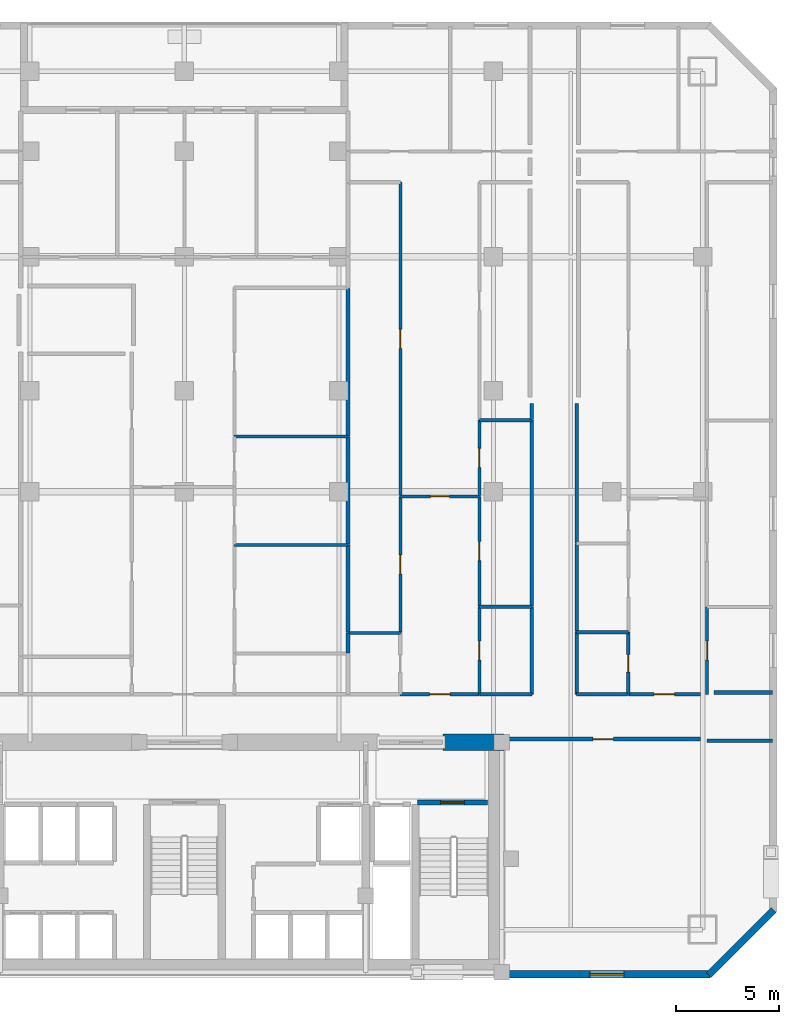
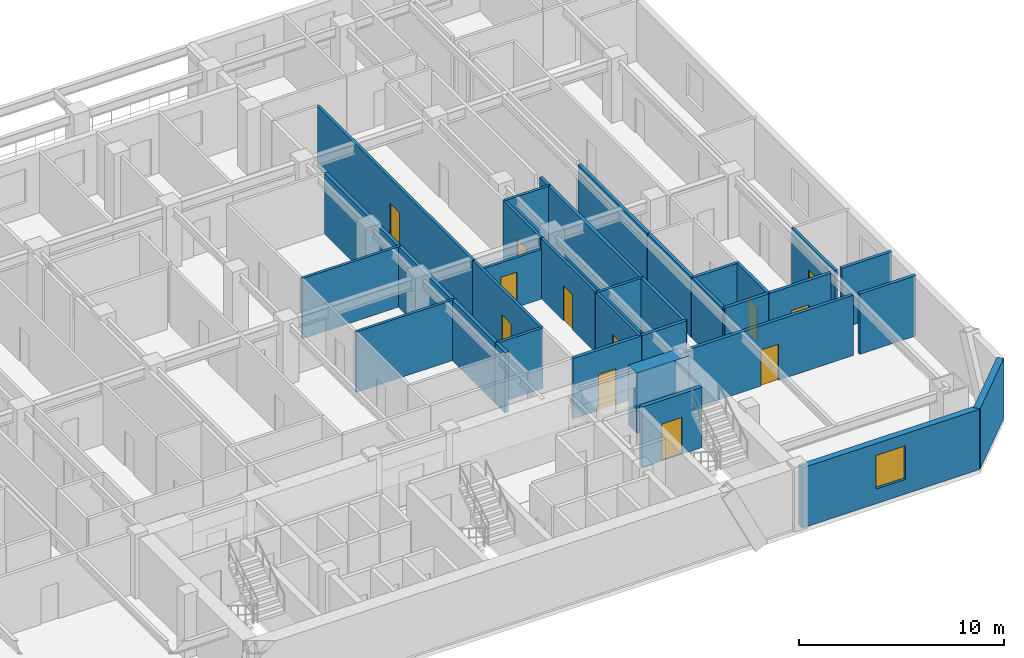
# One storey, part 6 of 10: 35 walls, 12 doors, 1 window, 13 openings.
"""IFC4 building model written with IfcOpenShell, lengths in metres."""

from ifc_helpers import new_model, si_unit, direction, frame, frame_2d, origin, place, context, subcontext, project, spatial, rectangle, extrude, material, layer, layer_set, type_object, element, fill, save


model = new_model("IFC4")

# Units and contexts
model_context = context("Model", 3, precision=1e-05, world=origin(), true_north=direction((0.0, 1.0)))
body_context = subcontext(model_context, "Body", "Model", "MODEL_VIEW")
ifc_project = project(units=[si_unit("LENGTHUNIT", "METRE"), si_unit("AREAUNIT", "SQUARE_METRE"), si_unit("VOLUMEUNIT", "CUBIC_METRE"), si_unit("PLANEANGLEUNIT", "RADIAN"), si_unit("MASSUNIT", "GRAM", prefix="KILO")], contexts=[model_context])

# Site, building, storey
site_placement = place(None, origin())
site = spatial("IfcSite", under=ifc_project, at=site_placement, CompositionType="ELEMENT")
building_placement = place(site_placement, origin())
building = spatial("IfcBuilding", under=site, at=building_placement, Name="Ventersveld Concourse Tower", CompositionType="ELEMENT")
storey_placement = place(building_placement, frame((0.0, 0.0, 64.449951171875)))
storey = spatial("IfcBuildingStorey", under=building, at=storey_placement, Name="L15", CompositionType="ELEMENT", Elevation=64.449951171875)

# Wall
ifc_material_1 = material(Name="Concrete C60/75", Category="concrete")
ifc_layer_1 = layer(ifc_material_1, 0.800048828125)
ifc_layer_set_1 = layer_set([ifc_layer_1], Name="Concrete C60/75")
wall_type_1 = type_object("IfcWallType", Name="WL-CORE-800", PredefinedType="SHEAR", material=ifc_layer_set_1)
wall_1_placement = place(storey_placement, frame((41.300048828125, 11.449951171875, 0.0), z_axis=(0.0, 0.0, 1.0), x_axis=(1.0, 0.0, 0.0)))
element("IfcWall", 1, at=wall_1_placement, inside=storey, type_object=wall_type_1, Name="L15 Rear Core North Shear Wall NE", PredefinedType="SHEAR", context=body_context, shape_type="SweptSolid", body=[
    extrude(rectangle(XDim=2.949951171875, YDim=0.800048828125, at=frame_2d((1.47509765625, 0.0))), origin(), (0.0, 0.0, 1.0), 3.60009765625),
])

# Wall, opening, door
ifc_material_2 = material(Name="Fire-rated autoclaved aerated masonry blockwork", Category="masonry")
ifc_layer_2 = layer(ifc_material_2, 0.179931640625)
ifc_layer_set_2 = layer_set([ifc_layer_2], Name="Fire-rated autoclaved aerated masonry blockwork")
wall_type_2 = type_object("IfcWallType", Name="WL-CORR-180", PredefinedType="PARTITIONING", material=ifc_layer_set_2)
wall_2_placement = place(storey_placement, frame((44.35498046875, 11.60009765625, 0.0), z_axis=(0.0, 0.0, 1.0), x_axis=(1.0, 0.0, 0.0)))
wall_2 = element("IfcWall", 2, at=wall_2_placement, inside=storey, type_object=wall_type_2, Name="L15 Interior Partition SP-L15-SE-OFF-SP-L15-COR", PredefinedType="PARTITIONING", context=body_context, shape_type="SweptSolid", body=[
    extrude(rectangle(XDim=9.43994140625, YDim=0.179931640625, at=frame_2d((4.719970703125, 0.0))), origin(), (0.0, 0.0, 1.0), 3.60009765625),
])
opening_1_placement = place(wall_2_placement, frame((4.219970703125, 0.0, 0.0)))
opening_1 = element("IfcOpeningElement", 3, at=opening_1_placement, cuts=wall_2, Name="Opening FD3", PredefinedType="OPENING", context=body_context, shape_type="SweptSolid", body=[
    extrude(rectangle(XDim=1.0, YDim=2.14990234375, at=frame_2d((0.5, 1.074951171875))), frame((0.0, 0.10009765625, 0.0), z_axis=(0.0, -1.0, 0.0), x_axis=(1.0, 0.0, 0.0)), (0.0, 0.0, 1.0), 0.199951171875),
])
ifc_material_3 = material(Name="Solid-core hardwood veneer timber", Category="wood")
door_type_1 = type_object("IfcDoorType", Name="DR-FLAT-100", OperationType="NOTDEFINED", PredefinedType="DOOR", material=ifc_material_3)
door_1_placement = place(opening_1_placement, origin())
door_1 = element("IfcDoor", 4, at=door_1_placement, inside=storey, type_object=door_type_1, Name="L15 Interior Door SP-L15-SE-OFF to SP-L15-COR (D-L15-0656)", OperationType="SINGLE_SWING_RIGHT", OverallHeight=2.14990234375, OverallWidth=1.0, PredefinedType="DOOR", context=body_context, shape_type="SweptSolid", body=[
    extrude(rectangle(XDim=1.0, YDim=2.14990234375, at=frame_2d((0.5, 1.074951171875))), frame((0.0, 0.02490234375, 0.0), z_axis=(0.0, -1.0, 0.0), x_axis=(1.0, 0.0, 0.0)), (0.0, 0.0, 1.0), 0.050048828125),
])
fill(opening_1, door_1)

wall_3_placement = place(storey_placement, frame((50.2958984375, 13.77001953125, 0.0), z_axis=(0.0, 0.0, 1.0), x_axis=(1.0, 0.0, 0.0)))
wall_3 = element("IfcWall", 5, at=wall_3_placement, inside=storey, type_object=wall_type_2, Name="L15 Interior Partition SP-L15-COR-SP-L15-15NE-FOY", PredefinedType="PARTITIONING", context=body_context, shape_type="SweptSolid", body=[
    extrude(rectangle(XDim=3.4990234375, YDim=0.179931640625, at=frame_2d((1.74951171875, 0.0))), origin(), (0.0, 0.0, 1.0), 3.60009765625),
])
opening_2_placement = place(wall_3_placement, frame((1.24951171875, 0.0, 0.0)))
opening_2 = element("IfcOpeningElement", 6, at=opening_2_placement, cuts=wall_3, Name="Opening FD3", PredefinedType="OPENING", context=body_context, shape_type="SweptSolid", body=[
    extrude(rectangle(XDim=1.0, YDim=2.14990234375, at=frame_2d((0.5, 1.074951171875))), frame((0.0, 0.10009765625, 0.0), z_axis=(0.0, -1.0, 0.0), x_axis=(1.0, 0.0, 0.0)), (0.0, 0.0, 1.0), 0.199951171875),
])
door_2_placement = place(opening_2_placement, origin())
door_2 = element("IfcDoor", 7, at=door_2_placement, inside=storey, type_object=door_type_1, Name="L15 Interior Door SP-L15-COR to SP-L15-15NE-FOY (FD-L15-0658)", OperationType="SINGLE_SWING_RIGHT", OverallHeight=2.14990234375, OverallWidth=1.0, PredefinedType="DOOR", context=body_context, shape_type="SweptSolid", body=[
    extrude(rectangle(XDim=1.0, YDim=2.14990234375, at=frame_2d((0.5, 1.074951171875))), frame((0.0, 0.02490234375, 0.0), z_axis=(0.0, -1.0, 0.0), x_axis=(1.0, 0.0, 0.0)), (0.0, 0.0, 1.0), 0.050048828125),
])
fill(opening_2, door_2)

# Walls
wall_4_placement = place(storey_placement, frame((47.7900390625, 13.764892578125, 0.0), z_axis=(0.0, 0.0, 1.0), x_axis=(0.0, 1.0, 0.0)))
element("IfcWall", 8, at=wall_4_placement, inside=storey, type_object=wall_type_2, Name="L15 Interior Partition SP-L15-COR-SP-L15-15NE-BATH", PredefinedType="PARTITIONING", context=body_context, shape_type="SweptSolid", body=[
    extrude(rectangle(XDim=3.021728515625, YDim=0.179931640625, at=frame_2d((1.5107421875, 0.0))), origin(), (0.0, 0.0, 1.0), 3.60009765625),
])
wall_5_placement = place(storey_placement, frame((47.784912109375, 13.77001953125, 0.0), z_axis=(0.0, 0.0, 1.0), x_axis=(1.0, 0.0, 0.0)))
element("IfcWall", 9, at=wall_5_placement, inside=storey, type_object=wall_type_2, Name="L15 Interior Partition SP-L15-COR-SP-L15-15NE-BATH", PredefinedType="PARTITIONING", context=body_context, shape_type="SweptSolid", body=[
    extrude(rectangle(XDim=2.48095703125, YDim=0.179931640625, at=frame_2d((1.240478515625, 0.0))), origin(), (0.0, 0.0, 1.0), 3.60009765625),
])
wall_6_placement = place(storey_placement, frame((47.7900390625, 16.81640625, 0.0), z_axis=(0.0, 0.0, 1.0), x_axis=(0.0, 1.0, 0.0)))
element("IfcWall", 10, at=wall_6_placement, inside=storey, type_object=wall_type_2, Name="L15 Interior Partition SP-L15-COR-SP-L15-15NE-PANL0", PredefinedType="PARTITIONING", context=body_context, shape_type="SweptSolid", body=[
    extrude(rectangle(XDim=4.268798828125, YDim=0.179931640625, at=frame_2d((2.13427734375, 0.0))), origin(), (0.0, 0.0, 1.0), 3.60009765625),
])
wall_7_placement = place(storey_placement, frame((47.7900390625, 21.114990234375, 0.0), z_axis=(0.0, 0.0, 1.0), x_axis=(0.0, 1.0, 0.0)))
element("IfcWall", 11, at=wall_7_placement, inside=storey, type_object=wall_type_2, Name="L15 Interior Partition SP-L15-COR-SP-L15-15NE-DENL", PredefinedType="PARTITIONING", context=body_context, shape_type="SweptSolid", body=[
    extrude(rectangle(XDim=6.780029296875, YDim=0.179931640625, at=frame_2d((3.39013671875, 0.0))), origin(), (0.0, 0.0, 1.0), 3.60009765625),
])

# Wall, opening, door
wall_8_placement = place(storey_placement, frame((39.224853515625, 13.77001953125, 0.0), z_axis=(0.0, 0.0, 1.0), x_axis=(1.0, 0.0, 0.0)))
wall_8 = element("IfcWall", 12, at=wall_8_placement, inside=storey, type_object=wall_type_2, Name="L15 Interior Partition SP-L15-COR-SP-L15-15CE-FOY", PredefinedType="PARTITIONING", context=body_context, shape_type="SweptSolid", body=[
    extrude(rectangle(XDim=3.850341796875, YDim=0.179931640625, at=frame_2d((1.92529296875, 0.0))), origin(), (0.0, 0.0, 1.0), 3.60009765625),
])
opening_3_placement = place(wall_8_placement, frame((1.42529296875, 0.0, 0.0)))
opening_3 = element("IfcOpeningElement", 13, at=opening_3_placement, cuts=wall_8, Name="Opening FD3", PredefinedType="OPENING", context=body_context, shape_type="SweptSolid", body=[
    extrude(rectangle(XDim=1.0, YDim=2.14990234375, at=frame_2d((0.5, 1.074951171875))), frame((0.0, 0.10009765625, 0.0), z_axis=(0.0, -1.0, 0.0), x_axis=(1.0, 0.0, 0.0)), (0.0, 0.0, 1.0), 0.199951171875),
])
door_3_placement = place(opening_3_placement, origin())
door_3 = element("IfcDoor", 14, at=door_3_placement, inside=storey, type_object=door_type_1, Name="L15 Interior Door SP-L15-COR to SP-L15-15CE-FOY (FD-L15-0660)", OperationType="SINGLE_SWING_RIGHT", OverallHeight=2.14990234375, OverallWidth=1.0, PredefinedType="DOOR", context=body_context, shape_type="SweptSolid", body=[
    extrude(rectangle(XDim=1.0, YDim=2.14990234375, at=frame_2d((0.5, 1.074951171875))), frame((0.0, 0.02490234375, 0.0), z_axis=(0.0, -1.0, 0.0), x_axis=(1.0, 0.0, 0.0)), (0.0, 0.0, 1.0), 0.050048828125),
])
fill(opening_3, door_3)

# Walls
wall_9_placement = place(storey_placement, frame((45.610107421875, 13.764892578125, 0.0), z_axis=(0.0, 0.0, 1.0), x_axis=(0.0, 1.0, 0.0)))
element("IfcWall", 15, at=wall_9_placement, inside=storey, type_object=wall_type_2, Name="L15 Interior Partition SP-L15-COR-SP-L15-15CE-KIT", PredefinedType="PARTITIONING", context=body_context, shape_type="SweptSolid", body=[
    extrude(rectangle(XDim=4.25830078125, YDim=0.179931640625, at=frame_2d((2.129150390625, 0.0))), origin(), (0.0, 0.0, 1.0), 3.60009765625),
])
wall_10_placement = place(storey_placement, frame((43.105224609375, 13.77001953125, 0.0), z_axis=(0.0, 0.0, 1.0), x_axis=(1.0, 0.0, 0.0)))
element("IfcWall", 16, at=wall_10_placement, inside=storey, type_object=wall_type_2, Name="L15 Interior Partition SP-L15-COR-SP-L15-15CE-KIT", PredefinedType="PARTITIONING", context=body_context, shape_type="SweptSolid", body=[
    extrude(rectangle(XDim=2.509765625, YDim=0.179931640625, at=frame_2d((1.2548828125, 0.0))), origin(), (0.0, 0.0, 1.0), 3.60009765625),
])
wall_11_placement = place(storey_placement, frame((45.610107421875, 18.052978515625, 0.0), z_axis=(0.0, 0.0, 1.0), x_axis=(0.0, 1.0, 0.0)))
element("IfcWall", 17, at=wall_11_placement, inside=storey, type_object=wall_type_2, Name="L15 Interior Partition SP-L15-COR-SP-L15-15CE-DENR", PredefinedType="PARTITIONING", context=body_context, shape_type="SweptSolid", body=[
    extrude(rectangle(XDim=9.0244140625, YDim=0.179931640625, at=frame_2d((4.51220703125, 0.0))), origin(), (0.0, 0.0, 1.0), 3.60009765625),
])
wall_12_placement = place(storey_placement, frame((45.610107421875, 27.107421875, 0.0), z_axis=(0.0, 0.0, 1.0), x_axis=(0.0, 1.0, 0.0)))
element("IfcWall", 18, at=wall_12_placement, inside=storey, type_object=wall_type_2, Name="L15 Interior Partition SP-L15-COR-SP-L15-15CE-DENS", PredefinedType="PARTITIONING", context=body_context, shape_type="SweptSolid", body=[
    extrude(rectangle(XDim=0.78759765625, YDim=0.179931640625, at=frame_2d((0.393798828125, 0.0))), origin(), (0.0, 0.0, 1.0), 3.60009765625),
])
wall_13_placement = place(storey_placement, frame((54.1123046875, 11.52001953125, 0.0), z_axis=(0.0, 0.0, 1.0), x_axis=(1.0, 0.0, 0.0)))
element("IfcWall", 19, at=wall_13_placement, inside=storey, type_object=wall_type_2, Name="L15 Room Enclosure Wall SP-L15-SE-OFF", PredefinedType="PARTITIONING", context=body_context, shape_type="SweptSolid", body=[
    extrude(rectangle(XDim=3.177734375, YDim=0.179931640625, at=frame_2d((1.5888671875, 0.0))), origin(), (0.0, 0.0, 1.0), 3.60009765625),
])
wall_14_placement = place(storey_placement, frame((57.2900390625, 13.860107421875, 0.0), z_axis=(0.0, 0.0, 1.0), x_axis=(-1.0, 0.0, 0.0)))
element("IfcWall", 20, at=wall_14_placement, inside=storey, type_object=wall_type_2, Name="L15 Room Enclosure Wall SP-L15-15NE-KIT", PredefinedType="PARTITIONING", context=body_context, shape_type="SweptSolid", body=[
    extrude(rectangle(XDim=2.842041015625, YDim=0.179931640625, at=frame_2d((1.4208984375, 0.0))), origin(), (0.0, 0.0, 1.0), 3.60009765625),
])
ifc_layer_3 = layer(ifc_material_2, 0.199951171875)
ifc_layer_set_3 = layer_set([ifc_layer_3], Name="Fire-rated autoclaved aerated masonry blockwork")
wall_type_3 = type_object("IfcWallType", Name="WL-DEMISE-200", PredefinedType="PARTITIONING", material=ifc_layer_set_3)
wall_15_placement = place(storey_placement, frame((36.68994140625, 15.7841796875, 0.0), z_axis=(0.0, 0.0, 1.0), x_axis=(0.0, 1.0, 0.0)))
element("IfcWall", 21, at=wall_15_placement, inside=storey, type_object=wall_type_3, Name="L15 Interior Partition SP-L15-15CE-BATH-SP-L15-15CM-DENR", PredefinedType="PARTITIONING", context=body_context, shape_type="SweptSolid", body=[
    extrude(rectangle(XDim=0.967529296875, YDim=0.199951171875, at=frame_2d((0.48388671875, 0.0))), origin(), (0.0, 0.0, 1.0), 3.60009765625),
])
wall_16_placement = place(storey_placement, frame((36.68994140625, 16.78173828125, 0.0), z_axis=(0.0, 0.0, 1.0), x_axis=(0.0, 1.0, 0.0)))
element("IfcWall", 22, at=wall_16_placement, inside=storey, type_object=wall_type_3, Name="L15 Interior Partition SP-L15-15CE-SEML0-SP-L15-15CM-DENR", PredefinedType="PARTITIONING", context=body_context, shape_type="SweptSolid", body=[
    extrude(rectangle(XDim=4.236328125, YDim=0.199951171875, at=frame_2d((2.1181640625, 0.0))), origin(), (0.0, 0.0, 1.0), 3.60009765625),
])
wall_17_placement = place(storey_placement, frame((36.68994140625, 21.048095703125, 0.0), z_axis=(0.0, 0.0, 1.0), x_axis=(0.0, 1.0, 0.0)))
element("IfcWall", 23, at=wall_17_placement, inside=storey, type_object=wall_type_3, Name="L15 Interior Partition SP-L15-15CE-SEML0-SP-L15-15CM-DENS", PredefinedType="PARTITIONING", context=body_context, shape_type="SweptSolid", body=[
    extrude(rectangle(XDim=5.233642578125, YDim=0.199951171875, at=frame_2d((2.61669921875, 0.0))), origin(), (0.0, 0.0, 1.0), 3.60009765625),
])
wall_18_placement = place(storey_placement, frame((36.68994140625, 26.311767578125, 0.0), z_axis=(0.0, 0.0, 1.0), x_axis=(0.0, 1.0, 0.0)))
element("IfcWall", 24, at=wall_18_placement, inside=storey, type_object=wall_type_3, Name="L15 Interior Partition SP-L15-15CE-SEML0-SP-L15-15CM-DENS2", PredefinedType="PARTITIONING", context=body_context, shape_type="SweptSolid", body=[
    extrude(rectangle(XDim=7.1533203125, YDim=0.199951171875, at=frame_2d((3.57666015625, 0.0))), origin(), (0.0, 0.0, 1.0), 3.60009765625),
])

# Wall, opening, door
ifc_layer_4 = layer(ifc_material_2, 0.219970703125)
ifc_layer_set_4 = layer_set([ifc_layer_4], Name="Fire-rated autoclaved aerated masonry blockwork")
wall_type_4 = type_object("IfcWallType", Name="WL-HOIST-220", PredefinedType="SOLIDWALL", material=ifc_layer_set_4)
wall_19_placement = place(storey_placement, frame((40.06005859375, 8.52001953125, 0.0), z_axis=(0.0, 0.0, 1.0), x_axis=(1.0, 0.0, 0.0)))
wall_19 = element("IfcWall", 25, at=wall_19_placement, inside=storey, type_object=wall_type_4, Name="L15 Escape Stair ST02 Fire Wall", PredefinedType="SOLIDWALL", context=body_context, shape_type="SweptSolid", body=[
    extrude(rectangle(XDim=3.39990234375, YDim=0.219970703125, at=frame_2d((1.699951171875, 0.0))), origin(), (0.0, 0.0, 1.0), 3.60009765625),
])
opening_4_placement = place(wall_19_placement, frame((1.125, 0.0, 0.0)))
opening_4 = element("IfcOpeningElement", 26, at=opening_4_placement, cuts=wall_19, Name="Opening FD1", PredefinedType="OPENING", context=body_context, shape_type="SweptSolid", body=[
    extrude(rectangle(XDim=1.14990234375, YDim=2.199951171875, at=frame_2d((0.574951171875, 1.10009765625))), frame((0.0, 0.1201171875, 0.0), z_axis=(0.0, -1.0, 0.0), x_axis=(1.0, 0.0, 0.0)), (0.0, 0.0, 1.0), 0.239990234375),
])
ifc_material_4 = material(Name="Galvanised painted steel", Category="steel")
door_type_2 = type_object("IfcDoorType", Name="DR-STAIR-115", OperationType="NOTDEFINED", PredefinedType="DOOR", material=ifc_material_4)
door_4_placement = place(opening_4_placement, origin())
door_4 = element("IfcDoor", 27, at=door_4_placement, inside=storey, type_object=door_type_2, Name="L15 Escape Stair Door ST02 (SD-L15-0647)", OperationType="SINGLE_SWING_RIGHT", OverallHeight=2.199951171875, OverallWidth=1.14990234375, PredefinedType="DOOR", context=body_context, shape_type="SweptSolid", body=[
    extrude(rectangle(XDim=1.14990234375, YDim=2.199951171875, at=frame_2d((0.574951171875, 1.10009765625))), frame((0.0, 0.02490234375, 0.0), z_axis=(0.0, -1.0, 0.0), x_axis=(1.0, 0.0, 0.0)), (0.0, 0.0, 1.0), 0.050048828125),
])
fill(opening_4, door_4)

ifc_material_5 = material(Name="Autoclaved aerated masonry blockwork", Category="masonry")
ifc_layer_5 = layer(ifc_material_5, 0.14990234375)
ifc_layer_set_5 = layer_set([ifc_layer_5], Name="Autoclaved aerated masonry blockwork")
wall_type_5 = type_object("IfcWallType", Name="WL-INT-150", PredefinedType="PARTITIONING", material=ifc_layer_set_5)
wall_20_placement = place(storey_placement, frame((54.122802734375, 13.764892578125, 0.0), z_axis=(0.0, 0.0, 1.0), x_axis=(0.0, 1.0, 0.0)))
wall_20 = element("IfcWall", 28, at=wall_20_placement, inside=storey, type_object=wall_type_5, Name="L15 Interior Partition SP-L15-15NE-FOY-SP-L15-15NE-KIT", PredefinedType="PARTITIONING", context=body_context, shape_type="SweptSolid", body=[
    extrude(rectangle(XDim=4.24560546875, YDim=0.14990234375, at=frame_2d((2.122802734375, 0.0))), origin(), (0.0, 0.0, 1.0), 3.60009765625),
])
opening_5_placement = place(wall_20_placement, frame((1.662841796875, 0.0, 0.0)))
opening_5 = element("IfcOpeningElement", 29, at=opening_5_placement, cuts=wall_20, Name="Opening ID1", PredefinedType="OPENING", context=body_context, shape_type="SweptSolid", body=[
    extrude(rectangle(XDim=0.919921875, YDim=2.10009765625, at=frame_2d((0.4599609375, 1.050048828125))), frame((0.0, 0.0849609375, 0.0), z_axis=(0.0, -1.0, 0.0), x_axis=(1.0, 0.0, 0.0)), (0.0, 0.0, 1.0), 0.169921875),
])
door_type_3 = type_object("IfcDoorType", Name="DR-ROOM-092", OperationType="NOTDEFINED", PredefinedType="DOOR", material=ifc_material_3)
door_5_placement = place(opening_5_placement, origin())
door_5 = element("IfcDoor", 30, at=door_5_placement, inside=storey, type_object=door_type_3, Name="L15 Interior Door SP-L15-15NE-FOY to SP-L15-15NE-KIT (D-L15-0676)", OperationType="SINGLE_SWING_RIGHT", OverallHeight=2.10009765625, OverallWidth=0.919921875, PredefinedType="DOOR", context=body_context, shape_type="SweptSolid", body=[
    extrude(rectangle(XDim=0.919921875, YDim=2.10009765625, at=frame_2d((0.4599609375, 1.050048828125))), frame((0.0, 0.02490234375, 0.0), z_axis=(0.0, -1.0, 0.0), x_axis=(1.0, 0.0, 0.0)), (0.0, 0.0, 1.0), 0.050048828125),
])
fill(opening_5, door_5)

wall_21_placement = place(storey_placement, frame((39.224853515625, 23.37451171875, 0.0), z_axis=(0.0, 0.0, 1.0), x_axis=(1.0, 0.0, 0.0)))
wall_21 = element("IfcWall", 31, at=wall_21_placement, inside=storey, type_object=wall_type_5, Name="L15 Interior Partition SP-L15-15CE-FOY-SP-L15-15CE-LIV", PredefinedType="PARTITIONING", context=body_context, shape_type="SweptSolid", body=[
    extrude(rectangle(XDim=3.850341796875, YDim=0.14990234375, at=frame_2d((1.92529296875, 0.0))), origin(), (0.0, 0.0, 1.0), 2.96435546875),
])
opening_6_placement = place(wall_21_placement, frame((1.465087890625, 0.0, 0.0)))
opening_6 = element("IfcOpeningElement", 32, at=opening_6_placement, cuts=wall_21, Name="Opening ID1", PredefinedType="OPENING", context=body_context, shape_type="SweptSolid", body=[
    extrude(rectangle(XDim=0.919921875, YDim=2.10009765625, at=frame_2d((0.4599609375, 1.050048828125))), frame((0.0, 0.0849609375, 0.0), z_axis=(0.0, -1.0, 0.0), x_axis=(1.0, 0.0, 0.0)), (0.0, 0.0, 1.0), 0.169921875),
])
door_6_placement = place(opening_6_placement, origin())
door_6 = element("IfcDoor", 33, at=door_6_placement, inside=storey, type_object=door_type_3, Name="L15 Interior Door SP-L15-15CE-FOY to SP-L15-15CE-LIV (D-L15-0692)", OperationType="SINGLE_SWING_RIGHT", OverallHeight=2.10009765625, OverallWidth=0.919921875, PredefinedType="DOOR", context=body_context, shape_type="SweptSolid", body=[
    extrude(rectangle(XDim=0.919921875, YDim=2.10009765625, at=frame_2d((0.4599609375, 1.050048828125))), frame((0.0, 0.02490234375, 0.0), z_axis=(0.0, -1.0, 0.0), x_axis=(1.0, 0.0, 0.0)), (0.0, 0.0, 1.0), 0.050048828125),
])
fill(opening_6, door_6)

wall_22_placement = place(storey_placement, frame((39.229736328125, 16.78173828125, 0.0), z_axis=(0.0, 0.0, 1.0), x_axis=(0.0, 1.0, 0.0)))
wall_22 = element("IfcWall", 34, at=wall_22_placement, inside=storey, type_object=wall_type_5, Name="L15 Interior Partition SP-L15-15CE-FOY-SP-L15-15CE-SEML0", PredefinedType="PARTITIONING", context=body_context, shape_type="SweptSolid", body=[
    extrude(rectangle(XDim=6.597900390625, YDim=0.14990234375, at=frame_2d((3.298828125, 0.0))), origin(), (0.0, 0.0, 1.0), 3.60009765625),
])
opening_7_placement = place(wall_22_placement, frame((2.8388671875, 0.0, 0.0)))
opening_7 = element("IfcOpeningElement", 35, at=opening_7_placement, cuts=wall_22, Name="Opening ID1", PredefinedType="OPENING", context=body_context, shape_type="SweptSolid", body=[
    extrude(rectangle(XDim=0.919921875, YDim=2.10009765625, at=frame_2d((0.4599609375, 1.050048828125))), frame((0.0, 0.0849609375, 0.0), z_axis=(0.0, -1.0, 0.0), x_axis=(1.0, 0.0, 0.0)), (0.0, 0.0, 1.0), 0.169921875),
])
door_7_placement = place(opening_7_placement, origin())
door_7 = element("IfcDoor", 36, at=door_7_placement, inside=storey, type_object=door_type_3, Name="L15 Interior Door SP-L15-15CE-FOY to SP-L15-15CE-SEML0 (D-L15-0694)", OperationType="SINGLE_SWING_RIGHT", OverallHeight=2.10009765625, OverallWidth=0.919921875, PredefinedType="DOOR", context=body_context, shape_type="SweptSolid", body=[
    extrude(rectangle(XDim=0.919921875, YDim=2.10009765625, at=frame_2d((0.4599609375, 1.050048828125))), frame((0.0, 0.02490234375, 0.0), z_axis=(0.0, -1.0, 0.0), x_axis=(1.0, 0.0, 0.0)), (0.0, 0.0, 1.0), 0.050048828125),
])
fill(opening_7, door_7)

wall_23_placement = place(storey_placement, frame((43.0703125, 13.764892578125, 0.0), z_axis=(0.0, 0.0, 1.0), x_axis=(0.0, 1.0, 0.0)))
wall_23 = element("IfcWall", 37, at=wall_23_placement, inside=storey, type_object=wall_type_5, Name="L15 Interior Partition SP-L15-15CE-FOY-SP-L15-15CE-KIT", PredefinedType="PARTITIONING", context=body_context, shape_type="SweptSolid", body=[
    extrude(rectangle(XDim=4.25830078125, YDim=0.14990234375, at=frame_2d((2.129150390625, 0.0))), origin(), (0.0, 0.0, 1.0), 3.60009765625),
])
opening_8_placement = place(wall_23_placement, frame((1.6689453125, 0.0, 0.0)))
opening_8 = element("IfcOpeningElement", 38, at=opening_8_placement, cuts=wall_23, Name="Opening ID1", PredefinedType="OPENING", context=body_context, shape_type="SweptSolid", body=[
    extrude(rectangle(XDim=0.919921875, YDim=2.10009765625, at=frame_2d((0.4599609375, 1.050048828125))), frame((0.0, 0.0849609375, 0.0), z_axis=(0.0, -1.0, 0.0), x_axis=(1.0, 0.0, 0.0)), (0.0, 0.0, 1.0), 0.169921875),
])
door_8_placement = place(opening_8_placement, origin())
door_8 = element("IfcDoor", 39, at=door_8_placement, inside=storey, type_object=door_type_3, Name="L15 Interior Door SP-L15-15CE-FOY to SP-L15-15CE-KIT (D-L15-0695)", OperationType="SINGLE_SWING_LEFT", OverallHeight=2.10009765625, OverallWidth=0.919921875, PredefinedType="DOOR", context=body_context, shape_type="SweptSolid", body=[
    extrude(rectangle(XDim=0.919921875, YDim=2.10009765625, at=frame_2d((0.4599609375, 1.050048828125))), frame((0.0, 0.02490234375, 0.0), z_axis=(0.0, -1.0, 0.0), x_axis=(1.0, 0.0, 0.0)), (0.0, 0.0, 1.0), 0.050048828125),
])
fill(opening_8, door_8)

wall_24_placement = place(storey_placement, frame((43.0703125, 18.052978515625, 0.0), z_axis=(0.0, 0.0, 1.0), x_axis=(0.0, 1.0, 0.0)))
wall_24 = element("IfcWall", 40, at=wall_24_placement, inside=storey, type_object=wall_type_5, Name="L15 Interior Partition SP-L15-15CE-FOY-SP-L15-15CE-DENR", PredefinedType="PARTITIONING", context=body_context, shape_type="SweptSolid", body=[
    extrude(rectangle(XDim=5.32666015625, YDim=0.14990234375, at=frame_2d((2.663330078125, 0.0))), origin(), (0.0, 0.0, 1.0), 3.60009765625),
])
opening_9_placement = place(wall_24_placement, frame((2.203125, 0.0, 0.0)))
opening_9 = element("IfcOpeningElement", 41, at=opening_9_placement, cuts=wall_24, Name="Opening ID1", PredefinedType="OPENING", context=body_context, shape_type="SweptSolid", body=[
    extrude(rectangle(XDim=0.919921875, YDim=2.10009765625, at=frame_2d((0.4599609375, 1.050048828125))), frame((0.0, 0.0849609375, 0.0), z_axis=(0.0, -1.0, 0.0), x_axis=(1.0, 0.0, 0.0)), (0.0, 0.0, 1.0), 0.169921875),
])
door_9_placement = place(opening_9_placement, origin())
door_9 = element("IfcDoor", 42, at=door_9_placement, inside=storey, type_object=door_type_3, Name="L15 Interior Door SP-L15-15CE-FOY to SP-L15-15CE-DENR (D-L15-0696)", OperationType="SINGLE_SWING_RIGHT", OverallHeight=2.10009765625, OverallWidth=0.919921875, PredefinedType="DOOR", context=body_context, shape_type="SweptSolid", body=[
    extrude(rectangle(XDim=0.919921875, YDim=2.10009765625, at=frame_2d((0.4599609375, 1.050048828125))), frame((0.0, 0.02490234375, 0.0), z_axis=(0.0, -1.0, 0.0), x_axis=(1.0, 0.0, 0.0)), (0.0, 0.0, 1.0), 0.050048828125),
])
fill(opening_9, door_9)

wall_25_placement = place(storey_placement, frame((39.229736328125, 23.40966796875, 0.0), z_axis=(0.0, 0.0, 1.0), x_axis=(0.0, 1.0, 0.0)))
wall_25 = element("IfcWall", 43, at=wall_25_placement, inside=storey, type_object=wall_type_5, Name="L15 Interior Partition SP-L15-15CE-LIV-SP-L15-15CE-SEML0", PredefinedType="PARTITIONING", context=body_context, shape_type="SweptSolid", body=[
    extrude(rectangle(XDim=15.21533203125, YDim=0.14990234375, at=frame_2d((7.607666015625, 0.0))), origin(), (0.0, 0.0, 1.0), 3.60009765625),
])
opening_10_placement = place(wall_25_placement, frame((7.147705078125, 0.0, 0.0)))
opening_10 = element("IfcOpeningElement", 44, at=opening_10_placement, cuts=wall_25, Name="Opening ID1", PredefinedType="OPENING", context=body_context, shape_type="SweptSolid", body=[
    extrude(rectangle(XDim=0.919921875, YDim=2.10009765625, at=frame_2d((0.4599609375, 1.050048828125))), frame((0.0, 0.0849609375, 0.0), z_axis=(0.0, -1.0, 0.0), x_axis=(1.0, 0.0, 0.0)), (0.0, 0.0, 1.0), 0.169921875),
])
door_10_placement = place(opening_10_placement, origin())
door_10 = element("IfcDoor", 45, at=door_10_placement, inside=storey, type_object=door_type_3, Name="L15 Interior Door SP-L15-15CE-LIV to SP-L15-15CE-SEML0 (D-L15-0697)", OperationType="SINGLE_SWING_LEFT", OverallHeight=2.10009765625, OverallWidth=0.919921875, PredefinedType="DOOR", context=body_context, shape_type="SweptSolid", body=[
    extrude(rectangle(XDim=0.919921875, YDim=2.10009765625, at=frame_2d((0.4599609375, 1.050048828125))), frame((0.0, 0.02490234375, 0.0), z_axis=(0.0, -1.0, 0.0), x_axis=(1.0, 0.0, 0.0)), (0.0, 0.0, 1.0), 0.050048828125),
])
fill(opening_10, door_10)

wall_26_placement = place(storey_placement, frame((43.0703125, 23.40966796875, 0.0), z_axis=(0.0, 0.0, 1.0), x_axis=(0.0, 1.0, 0.0)))
wall_26 = element("IfcWall", 46, at=wall_26_placement, inside=storey, type_object=wall_type_5, Name="L15 Interior Partition SP-L15-15CE-LIV-SP-L15-15CE-DENR", PredefinedType="PARTITIONING", context=body_context, shape_type="SweptSolid", body=[
    extrude(rectangle(XDim=3.667724609375, YDim=0.14990234375, at=frame_2d((1.833984375, 0.0))), origin(), (0.0, 0.0, 1.0), 3.60009765625),
])
opening_11_placement = place(wall_26_placement, frame((1.373779296875, 0.0, 0.0)))
opening_11 = element("IfcOpeningElement", 47, at=opening_11_placement, cuts=wall_26, Name="Opening ID1", PredefinedType="OPENING", context=body_context, shape_type="SweptSolid", body=[
    extrude(rectangle(XDim=0.919921875, YDim=2.10009765625, at=frame_2d((0.4599609375, 1.050048828125))), frame((0.0, 0.0849609375, 0.0), z_axis=(0.0, -1.0, 0.0), x_axis=(1.0, 0.0, 0.0)), (0.0, 0.0, 1.0), 0.169921875),
])
door_11_placement = place(opening_11_placement, origin())
door_11 = element("IfcDoor", 48, at=door_11_placement, inside=storey, type_object=door_type_3, Name="L15 Interior Door SP-L15-15CE-LIV to SP-L15-15CE-DENR (D-L15-0698)", OperationType="SINGLE_SWING_RIGHT", OverallHeight=2.10009765625, OverallWidth=0.919921875, PredefinedType="DOOR", context=body_context, shape_type="SweptSolid", body=[
    extrude(rectangle(XDim=0.919921875, YDim=2.10009765625, at=frame_2d((0.4599609375, 1.050048828125))), frame((0.0, 0.02490234375, 0.0), z_axis=(0.0, -1.0, 0.0), x_axis=(1.0, 0.0, 0.0)), (0.0, 0.0, 1.0), 0.050048828125),
])
fill(opening_11, door_11)

# Walls
for number, where, z_axis, x_axis, name in (
    (49, (43.065185546875, 18.01806640625, 0.0), (0.0, 0.0, 1.0), (1.0, 0.0, 0.0), "L15 Interior Partition SP-L15-15CE-KIT-SP-L15-15CE-DENR"),
    (50, (43.065185546875, 27.072265625, 0.0), (0.0, 0.0, 1.0), (1.0, 0.0, 0.0), "L15 Interior Partition SP-L15-15CE-DENR-SP-L15-15CE-DENS"),
):
    element("IfcWall", number, at=place(storey_placement, frame(where, z_axis=z_axis, x_axis=x_axis)), inside=storey, type_object=wall_type_5, Name=name, PredefinedType="PARTITIONING", context=body_context, shape_type="SweptSolid", body=[
        extrude(rectangle(XDim=2.5498046875, YDim=0.14990234375, at=frame_2d((1.27490234375, 0.0))), origin(), (0.0, 0.0, 1.0), 3.60009765625),
    ])
for number, where, z_axis, x_axis, name in (
    (51, (31.169677734375, 21.012939453125, 0.0), (0.0, 0.0, 1.0), (1.0, 0.0, 0.0), "L15 Interior Partition SP-L15-15CM-DENR-SP-L15-15CM-DENS"),
    (52, (31.169677734375, 26.276611328125, 0.0), (0.0, 0.0, 1.0), (1.0, 0.0, 0.0), "L15 Interior Partition SP-L15-15CM-DENS-SP-L15-15CM-DENS2"),
):
    element("IfcWall", number, at=place(storey_placement, frame(where, z_axis=z_axis, x_axis=x_axis)), inside=storey, type_object=wall_type_5, Name=name, PredefinedType="PARTITIONING", context=body_context, shape_type="SweptSolid", body=[
        extrude(rectangle(XDim=5.525390625, YDim=0.14990234375, at=frame_2d((2.7626953125, 0.0))), origin(), (0.0, 0.0, 1.0), 3.60009765625),
    ])

# Wall, opening, window
ifc_material_6 = material(Name="Precast concrete C45/55", Category="concrete")
ifc_layer_6 = layer(ifc_material_6, 0.35009765625)
ifc_layer_set_6 = layer_set([ifc_layer_6], Name="Precast concrete C45/55")
wall_type_6 = type_object("IfcWallType", Name="WL-PREC-350", PredefinedType="SOLIDWALL", material=ifc_layer_set_6)
wall_27_placement = place(storey_placement, frame((44.25, 0.179931640625, 0.0), z_axis=(0.0, 0.0, 1.0), x_axis=(1.0, 0.0, 0.0)))
wall_27 = element("IfcWall", 53, at=wall_27_placement, inside=storey, type_object=wall_type_6, Name="L15 South-East Flank Precast Wall", PredefinedType="SOLIDWALL", context=body_context, shape_type="SweptSolid", body=[
    extrude(rectangle(XDim=10.010009765625, YDim=0.35009765625, at=frame_2d((5.0048828125, 0.0))), origin(), (0.0, 0.0, 1.0), 3.60009765625),
])
opening_12_placement = place(wall_27_placement, frame((4.179931640625, 0.0, 0.8798828125)))
opening_12 = element("IfcOpeningElement", 54, at=opening_12_placement, cuts=wall_27, Name="Opening W6", PredefinedType="OPENING", context=body_context, shape_type="SweptSolid", body=[
    extrude(rectangle(XDim=1.64990234375, YDim=2.0, at=frame_2d((0.824951171875, 1.0))), frame((0.0, 0.18505859375, 0.0), z_axis=(0.0, -1.0, 0.0), x_axis=(1.0, 0.0, 0.0)), (0.0, 0.0, 1.0), 0.3701171875),
])
ifc_material_7 = material(Name="Tempered acoustic Low-E IGU", Category="glass")
window_type = type_object("IfcWindowType", Name="WIN-165x200", PartitioningType="SINGLE_PANEL", PredefinedType="WINDOW", material=ifc_material_7)
window_placement = place(opening_12_placement, origin())
window = element("IfcWindow", 55, at=window_placement, inside=storey, type_object=window_type, Name="L15 Punched Low-E Window W-0124", OverallHeight=2.0, OverallWidth=1.64990234375, PartitioningType="SINGLE_PANEL", PredefinedType="WINDOW", context=body_context, shape_type="SweptSolid", body=[
    extrude(rectangle(XDim=1.64990234375, YDim=2.0, at=frame_2d((0.824951171875, 1.0))), frame((0.0, 0.030029296875, 0.0), z_axis=(0.0, -1.0, 0.0), x_axis=(1.0, 0.0, 0.0)), (0.0, 0.0, 1.0), 0.06005859375),
])
fill(opening_12, window)

# Wall
wall_28_placement = place(storey_placement, frame((54.20458984375, 0.152099609375, 0.0), z_axis=(0.0, 0.0, 1.0), x_axis=(0.707106781187, 0.707106781187, 0.0)))
element("IfcWall", 56, at=wall_28_placement, inside=storey, type_object=wall_type_6, Name="L15 Highveld Precast Facade Wall E02", PredefinedType="SOLIDWALL", context=body_context, shape_type="SweptSolid", body=[
    extrude(rectangle(XDim=4.4453125, YDim=0.35009765625, at=frame_2d((2.22265625, 0.0))), origin(), (0.0, 0.0, 1.0), 3.60009765625),
])

# Wall, opening, door
ifc_layer_7 = layer(ifc_material_5, 0.1650390625)
ifc_layer_set_7 = layer_set([ifc_layer_7], Name="Autoclaved aerated masonry blockwork")
wall_type_7 = type_object("IfcWallType", Name="WL-WET-165", PredefinedType="PLUMBINGWALL", material=ifc_layer_set_7)
wall_29_placement = place(storey_placement, frame((50.30078125, 13.764892578125, 0.0), z_axis=(0.0, 0.0, 1.0), x_axis=(0.0, 1.0, 0.0)))
wall_29 = element("IfcWall", 57, at=wall_29_placement, inside=storey, type_object=wall_type_7, Name="L15 Interior Partition SP-L15-15NE-FOY-SP-L15-15NE-BATH", PredefinedType="PLUMBINGWALL", context=body_context, shape_type="SweptSolid", body=[
    extrude(rectangle(XDim=3.021728515625, YDim=0.1650390625, at=frame_2d((1.5107421875, 0.0))), origin(), (0.0, 0.0, 1.0), 3.60009765625),
])
opening_13_placement = place(wall_29_placement, frame((1.085693359375, 0.0, 0.0)))
opening_13 = element("IfcOpeningElement", 58, at=opening_13_placement, cuts=wall_29, Name="Opening ID2", PredefinedType="OPENING", context=body_context, shape_type="SweptSolid", body=[
    extrude(rectangle(XDim=0.85009765625, YDim=2.10009765625, at=frame_2d((0.425048828125, 1.050048828125))), frame((0.0, 0.092529296875, 0.0), z_axis=(0.0, -1.0, 0.0), x_axis=(1.0, 0.0, 0.0)), (0.0, 0.0, 1.0), 0.18505859375),
])
door_type_4 = type_object("IfcDoorType", Name="DR-BATH-085", OperationType="NOTDEFINED", PredefinedType="DOOR", material=ifc_material_3)
door_12_placement = place(opening_13_placement, origin())
door_12 = element("IfcDoor", 59, at=door_12_placement, inside=storey, type_object=door_type_4, Name="L15 Interior Door SP-L15-15NE-FOY to SP-L15-15NE-BATH (D-L15-0673)", OperationType="SINGLE_SWING_LEFT", OverallHeight=2.10009765625, OverallWidth=0.85009765625, PredefinedType="DOOR", context=body_context, shape_type="SweptSolid", body=[
    extrude(rectangle(XDim=0.85009765625, YDim=2.10009765625, at=frame_2d((0.425048828125, 1.050048828125))), frame((0.0, 0.02490234375, 0.0), z_axis=(0.0, -1.0, 0.0), x_axis=(1.0, 0.0, 0.0)), (0.0, 0.0, 1.0), 0.050048828125),
])
fill(opening_13, door_12)

# Walls
wall_30_placement = place(storey_placement, frame((47.784912109375, 16.781494140625, 0.0), z_axis=(0.0, 0.0, 1.0), x_axis=(1.0, 0.0, 0.0)))
element("IfcWall", 60, at=wall_30_placement, inside=storey, type_object=wall_type_7, Name="L15 Interior Partition SP-L15-15NE-BATH-SP-L15-15NE-PANL0", PredefinedType="PLUMBINGWALL", context=body_context, shape_type="SweptSolid", body=[
    extrude(rectangle(XDim=2.52099609375, YDim=0.1650390625, at=frame_2d((1.260498046875, 0.0))), origin(), (0.0, 0.0, 1.0), 3.60009765625),
])
wall_31_placement = place(storey_placement, frame((36.68505859375, 16.746826171875, 0.0), z_axis=(0.0, 0.0, 1.0), x_axis=(1.0, 0.0, 0.0)))
element("IfcWall", 61, at=wall_31_placement, inside=storey, type_object=wall_type_7, Name="L15 Interior Partition SP-L15-15CE-BATH-SP-L15-15CE-SEML0", PredefinedType="PLUMBINGWALL", context=body_context, shape_type="SweptSolid", body=[
    extrude(rectangle(XDim=2.5498046875, YDim=0.1650390625, at=frame_2d((1.27490234375, 0.0))), origin(), (0.0, 0.0, 1.0), 3.60009765625),
])

save(model, "model.ifc")
